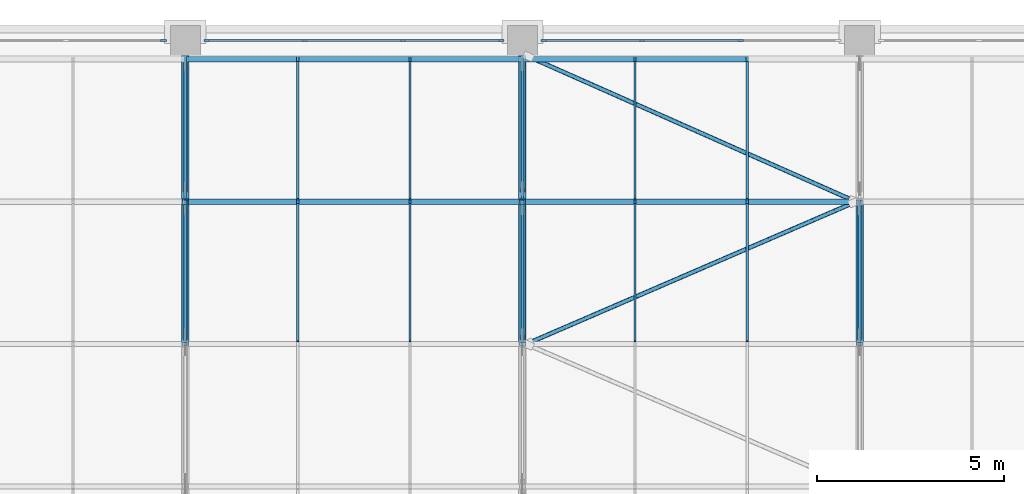
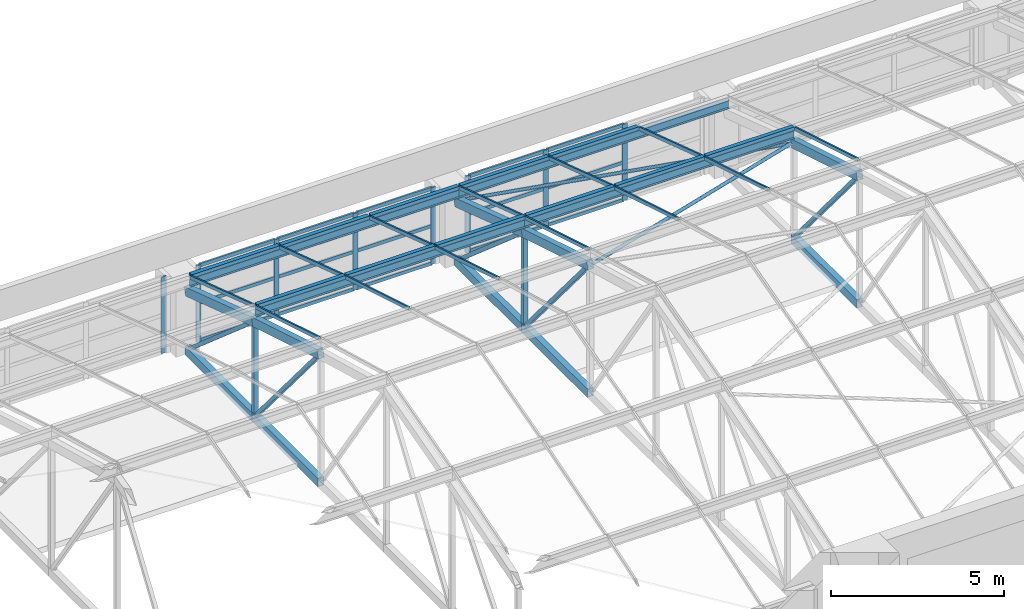
# One storey, part 19 of 82: 70 members, 4 elements without a shape of their own.
"""IFC4 building model written with IfcOpenShell, lengths in metres."""

from ifc_helpers import new_model, si_unit, direction, frame, origin, origin_2d, place, context, subcontext, project, spatial, rectangle, hollow_rectangle, hollow_circle, i_section, extrude, material, material_profile, profile_set, type_object, element, aggregate, save


model = new_model("IFC4")

# Units and contexts
model_context = context("Model", 3, precision=1e-05, world=origin(), true_north=direction((0.0, 1.0)))
body_context = subcontext(model_context, "Body", "Model", "MODEL_VIEW")
ifc_project = project(units=[si_unit("LENGTHUNIT", "METRE"), si_unit("AREAUNIT", "SQUARE_METRE"), si_unit("VOLUMEUNIT", "CUBIC_METRE"), si_unit("PLANEANGLEUNIT", "RADIAN"), si_unit("MASSUNIT", "GRAM", prefix="KILO")], contexts=[model_context])

# Site, building, storey
site_placement = place(None, origin())
site = spatial("IfcSite", under=ifc_project, at=site_placement, CompositionType="ELEMENT")
building_placement = place(site_placement, origin())
building = spatial("IfcBuilding", under=site, at=building_placement, Name="Aravalli Gate Trade Fair Centre", CompositionType="ELEMENT")
storey_placement = place(building_placement, frame((0.0, 0.0, 19.199951171875)))
storey = spatial("IfcBuildingStorey", under=building, at=storey_placement, Name="L04", CompositionType="ELEMENT", Elevation=19.199951171875)

# Members
ifc_material_1 = material(Name="Steel E350", Category="steel")
ifc_material_profile_1 = material_profile(ifc_material_1, hollow_circle(Radius=0.05712890625, WallThickness=0.00439453125, at=origin_2d()), Name="CHS 114.3x4.5")
ifc_profile_set_1 = profile_set([ifc_material_profile_1], Name="Steel E350")
member_type_1 = type_object("IfcMemberType", Name="CHS 114.3x4.5 roof plan brace", PredefinedType="BRACE", material=ifc_profile_set_1)
member_1_placement = place(storey_placement, frame((69.10009765625, 124.89990234375, 4.67333984375), z_axis=(0.911521506229, 0.393625353581, -0.119111815957), x_axis=(-0.396447725805, 0.91805729707, 0.0)))
element("IfcMember", 1, at=member_1_placement, inside=storey, type_object=member_type_1, Name="Vault plan brace 8.5", PredefinedType="BRACE", context=body_context, shape_type="SweptSolid", body=[
    extrude(hollow_circle(Radius=0.05712890625, WallThickness=0.00439453125, at=origin_2d()), origin(), (0.0, 0.0, 1.0), 9.654052734375),
])
member_2_placement = place(storey_placement, frame((69.10009765625, 132.60009765625, 2.2392578125), z_axis=(0.906215987869, -0.401642448291, 0.132120880486), x_axis=(0.40519454098, 0.914230487328, 0.0)))
element("IfcMember", 2, at=member_2_placement, inside=storey, type_object=member_type_1, Name="Vault plan brace 8.6", PredefinedType="BRACE", context=body_context, shape_type="SweptSolid", body=[
    extrude(hollow_circle(Radius=0.05712890625, WallThickness=0.00439453125, at=origin_2d()), origin(), (0.0, 0.0, 1.0), 9.71044921875),
])

# Curtain wall, member
ifc_material_2 = material(Name="Aluminium and glass", Category="aluminium")
curtain_wall_type_1 = type_object("IfcCurtainWallType", Name="Curtain wall 3000 module", PredefinedType="NOTDEFINED", material=ifc_material_2)
curtain_wall_1_placement = place(storey_placement, origin())
curtain_wall_1 = element("IfcCurtainWall", 3, at=curtain_wall_1_placement, inside=storey, type_object=curtain_wall_type_1, Name="Curtain wall north bay 6 L04", PredefinedType="NOTDEFINED")
ifc_material_3 = material(Name="Aluminium", Category="aluminium")
ifc_material_profile_2 = material_profile(ifc_material_3, rectangle(XDim=0.06005859375, YDim=0.159912109375, at=origin_2d()), Name="Concourse curtain wall mullion 60 x 160")
ifc_profile_set_2 = profile_set([ifc_material_profile_2], Name="Aluminium")
member_type_2 = type_object("IfcMemberType", Name="Concourse curtain wall mullion 60 x 160", PredefinedType="MULLION", material=ifc_profile_set_2)
member_3_placement = place(storey_placement, frame((59.419921875, 133.0, 0.0), z_axis=(0.0, 0.0, 1.0), x_axis=(0.0, 1.0, 0.0)))
member_3 = element("IfcMember", 4, at=member_3_placement, type_object=member_type_2, Name="CW1 mullion 4", PredefinedType="MULLION", context=body_context, shape_type="SweptSolid", body=[
    extrude(rectangle(XDim=0.06005859375, YDim=0.159912109375, at=origin_2d()), origin(), (0.0, 0.0, 1.0), 2.699951171875),
])
aggregate(curtain_wall_1, [member_3])

# Curtain wall, members
curtain_wall_2_placement = place(storey_placement, origin())
curtain_wall_2 = element("IfcCurtainWall", 5, at=curtain_wall_2_placement, inside=storey, type_object=curtain_wall_type_1, Name="Curtain wall north bay 7 L04", PredefinedType="NOTDEFINED")
member_4_placement = place(storey_placement, frame((60.580078125, 133.0, 0.0), z_axis=(0.0, 0.0, 1.0), x_axis=(0.0, 1.0, 0.0)))
member_4 = element("IfcMember", 6, at=member_4_placement, type_object=member_type_2, Name="CW1 mullion 1", PredefinedType="MULLION", context=body_context, shape_type="SweptSolid", body=[
    extrude(rectangle(XDim=0.06005859375, YDim=0.159912109375, at=origin_2d()), origin(), (0.0, 0.0, 1.0), 2.699951171875),
])
member_5_placement = place(storey_placement, frame((63.183349609375, 133.0, 0.0), z_axis=(0.0, 0.0, 1.0), x_axis=(0.0, 1.0, 0.0)))
member_5 = element("IfcMember", 7, at=member_5_placement, type_object=member_type_2, Name="CW1 mullion 2", PredefinedType="MULLION", context=body_context, shape_type="SweptSolid", body=[
    extrude(rectangle(XDim=0.06005859375, YDim=0.159912109375, at=origin_2d()), origin(), (0.0, 0.0, 1.0), 2.699951171875),
])
member_6_placement = place(storey_placement, frame((65.816650390625, 133.0, 0.0), z_axis=(0.0, 0.0, 1.0), x_axis=(0.0, 1.0, 0.0)))
member_6 = element("IfcMember", 8, at=member_6_placement, type_object=member_type_2, Name="CW1 mullion 3", PredefinedType="MULLION", context=body_context, shape_type="SweptSolid", body=[
    extrude(rectangle(XDim=0.06005859375, YDim=0.159912109375, at=origin_2d()), origin(), (0.0, 0.0, 1.0), 2.699951171875),
])
member_7_placement = place(storey_placement, frame((68.419921875, 133.0, 0.0), z_axis=(0.0, 0.0, 1.0), x_axis=(0.0, 1.0, 0.0)))
member_7 = element("IfcMember", 9, at=member_7_placement, type_object=member_type_2, Name="CW1 mullion 4", PredefinedType="MULLION", context=body_context, shape_type="SweptSolid", body=[
    extrude(rectangle(XDim=0.06005859375, YDim=0.159912109375, at=origin_2d()), origin(), (0.0, 0.0, 1.0), 2.699951171875),
])

curtain_wall_3_placement = place(storey_placement, origin())
curtain_wall_3 = element("IfcCurtainWall", 10, at=curtain_wall_3_placement, inside=storey, type_object=curtain_wall_type_1, Name="Curtain wall north bay 8 L04", PredefinedType="NOTDEFINED")
member_8_placement = place(storey_placement, frame((69.580078125, 133.0, 0.0), z_axis=(0.0, 0.0, 1.0), x_axis=(0.0, 1.0, 0.0)))
member_8 = element("IfcMember", 11, at=member_8_placement, type_object=member_type_2, Name="CW1 mullion 1", PredefinedType="MULLION", context=body_context, shape_type="SweptSolid", body=[
    extrude(rectangle(XDim=0.06005859375, YDim=0.159912109375, at=origin_2d()), origin(), (0.0, 0.0, 1.0), 2.699951171875),
])
member_9_placement = place(storey_placement, frame((72.183349609375, 133.0, 0.0), z_axis=(0.0, 0.0, 1.0), x_axis=(0.0, 1.0, 0.0)))
member_9 = element("IfcMember", 12, at=member_9_placement, type_object=member_type_2, Name="CW1 mullion 2", PredefinedType="MULLION", context=body_context, shape_type="SweptSolid", body=[
    extrude(rectangle(XDim=0.06005859375, YDim=0.159912109375, at=origin_2d()), origin(), (0.0, 0.0, 1.0), 2.699951171875),
])
member_10_placement = place(storey_placement, frame((74.816650390625, 133.0, 0.0), z_axis=(0.0, 0.0, 1.0), x_axis=(0.0, 1.0, 0.0)))
member_10 = element("IfcMember", 13, at=member_10_placement, type_object=member_type_2, Name="CW1 mullion 3", PredefinedType="MULLION", context=body_context, shape_type="SweptSolid", body=[
    extrude(rectangle(XDim=0.06005859375, YDim=0.159912109375, at=origin_2d()), origin(), (0.0, 0.0, 1.0), 2.699951171875),
])

# Member
ifc_material_profile_3 = material_profile(ifc_material_3, rectangle(XDim=0.06005859375, YDim=0.1201171875, at=origin_2d()), Name="Concourse curtain wall transom 60 x 120")
ifc_profile_set_3 = profile_set([ifc_material_profile_3], Name="Aluminium")
member_type_3 = type_object("IfcMemberType", Name="Concourse curtain wall transom 60 x 120", PredefinedType="USERDEFINED", material=ifc_profile_set_3)
member_11_placement = place(storey_placement, frame((60.610107421875, 133.0, 0.030029296875), z_axis=(1.0, 0.0, 0.0), x_axis=(0.0, 1.0, 0.0)))
member_11 = element("IfcMember", 14, at=member_11_placement, type_object=member_type_3, Name="CW1 transom 1.1", ObjectType="TRANSOM", PredefinedType="USERDEFINED", context=body_context, shape_type="SweptSolid", body=[
    extrude(rectangle(XDim=0.06005859375, YDim=0.1201171875, at=origin_2d()), origin(), (0.0, 0.0, 1.0), 2.543212890625),
])

member_12_placement = place(storey_placement, frame((60.610107421875, 133.0, 1.35009765625), z_axis=(1.0, 0.0, 0.0), x_axis=(0.0, 1.0, 0.0)))
member_12 = element("IfcMember", 15, at=member_12_placement, type_object=member_type_3, Name="CW1 transom 1.2", ObjectType="TRANSOM", PredefinedType="USERDEFINED", context=body_context, shape_type="SweptSolid", body=[
    extrude(rectangle(XDim=0.06005859375, YDim=0.1201171875, at=origin_2d()), origin(), (0.0, 0.0, 1.0), 2.543212890625),
])

member_13_placement = place(storey_placement, frame((60.610107421875, 133.0, 2.670166015625), z_axis=(1.0, 0.0, 0.0), x_axis=(0.0, 1.0, 0.0)))
member_13 = element("IfcMember", 16, at=member_13_placement, type_object=member_type_3, Name="CW1 transom 1.3", ObjectType="TRANSOM", PredefinedType="USERDEFINED", context=body_context, shape_type="SweptSolid", body=[
    extrude(rectangle(XDim=0.06005859375, YDim=0.1201171875, at=origin_2d()), origin(), (0.0, 0.0, 1.0), 2.543212890625),
])

member_14_placement = place(storey_placement, frame((63.21337890625, 133.0, 0.030029296875), z_axis=(1.0, 0.0, 0.0), x_axis=(0.0, 1.0, 0.0)))
member_14 = element("IfcMember", 17, at=member_14_placement, type_object=member_type_3, Name="CW1 transom 2.1", ObjectType="TRANSOM", PredefinedType="USERDEFINED", context=body_context, shape_type="SweptSolid", body=[
    extrude(rectangle(XDim=0.06005859375, YDim=0.1201171875, at=origin_2d()), origin(), (0.0, 0.0, 1.0), 2.5732421875),
])

member_15_placement = place(storey_placement, frame((63.21337890625, 133.0, 1.35009765625), z_axis=(1.0, 0.0, 0.0), x_axis=(0.0, 1.0, 0.0)))
member_15 = element("IfcMember", 18, at=member_15_placement, type_object=member_type_3, Name="CW1 transom 2.2", ObjectType="TRANSOM", PredefinedType="USERDEFINED", context=body_context, shape_type="SweptSolid", body=[
    extrude(rectangle(XDim=0.06005859375, YDim=0.1201171875, at=origin_2d()), origin(), (0.0, 0.0, 1.0), 2.5732421875),
])

member_16_placement = place(storey_placement, frame((63.21337890625, 133.0, 2.670166015625), z_axis=(1.0, 0.0, 0.0), x_axis=(0.0, 1.0, 0.0)))
member_16 = element("IfcMember", 19, at=member_16_placement, type_object=member_type_3, Name="CW1 transom 2.3", ObjectType="TRANSOM", PredefinedType="USERDEFINED", context=body_context, shape_type="SweptSolid", body=[
    extrude(rectangle(XDim=0.06005859375, YDim=0.1201171875, at=origin_2d()), origin(), (0.0, 0.0, 1.0), 2.5732421875),
])

member_17_placement = place(storey_placement, frame((65.8466796875, 133.0, 0.030029296875), z_axis=(1.0, 0.0, 0.0), x_axis=(0.0, 1.0, 0.0)))
member_17 = element("IfcMember", 20, at=member_17_placement, type_object=member_type_3, Name="CW1 transom 3.1", ObjectType="TRANSOM", PredefinedType="USERDEFINED", context=body_context, shape_type="SweptSolid", body=[
    extrude(rectangle(XDim=0.06005859375, YDim=0.1201171875, at=origin_2d()), origin(), (0.0, 0.0, 1.0), 2.543212890625),
])

member_18_placement = place(storey_placement, frame((65.8466796875, 133.0, 1.35009765625), z_axis=(1.0, 0.0, 0.0), x_axis=(0.0, 1.0, 0.0)))
member_18 = element("IfcMember", 21, at=member_18_placement, type_object=member_type_3, Name="CW1 transom 3.2", ObjectType="TRANSOM", PredefinedType="USERDEFINED", context=body_context, shape_type="SweptSolid", body=[
    extrude(rectangle(XDim=0.06005859375, YDim=0.1201171875, at=origin_2d()), origin(), (0.0, 0.0, 1.0), 2.543212890625),
])

member_19_placement = place(storey_placement, frame((65.8466796875, 133.0, 2.670166015625), z_axis=(1.0, 0.0, 0.0), x_axis=(0.0, 1.0, 0.0)))
member_19 = element("IfcMember", 22, at=member_19_placement, type_object=member_type_3, Name="CW1 transom 3.3", ObjectType="TRANSOM", PredefinedType="USERDEFINED", context=body_context, shape_type="SweptSolid", body=[
    extrude(rectangle(XDim=0.06005859375, YDim=0.1201171875, at=origin_2d()), origin(), (0.0, 0.0, 1.0), 2.543212890625),
])

aggregate(curtain_wall_2, [member_4, member_5, member_6, member_7, member_11, member_12, member_13, member_14, member_15, member_16, member_17, member_18, member_19])

member_20_placement = place(storey_placement, frame((69.610107421875, 133.0, 0.030029296875), z_axis=(1.0, 0.0, 0.0), x_axis=(0.0, 1.0, 0.0)))
member_20 = element("IfcMember", 23, at=member_20_placement, type_object=member_type_3, Name="CW1 transom 1.1", ObjectType="TRANSOM", PredefinedType="USERDEFINED", context=body_context, shape_type="SweptSolid", body=[
    extrude(rectangle(XDim=0.06005859375, YDim=0.1201171875, at=origin_2d()), origin(), (0.0, 0.0, 1.0), 2.543212890625),
])

member_21_placement = place(storey_placement, frame((69.610107421875, 133.0, 1.35009765625), z_axis=(1.0, 0.0, 0.0), x_axis=(0.0, 1.0, 0.0)))
member_21 = element("IfcMember", 24, at=member_21_placement, type_object=member_type_3, Name="CW1 transom 1.2", ObjectType="TRANSOM", PredefinedType="USERDEFINED", context=body_context, shape_type="SweptSolid", body=[
    extrude(rectangle(XDim=0.06005859375, YDim=0.1201171875, at=origin_2d()), origin(), (0.0, 0.0, 1.0), 2.543212890625),
])

member_22_placement = place(storey_placement, frame((69.610107421875, 133.0, 2.670166015625), z_axis=(1.0, 0.0, 0.0), x_axis=(0.0, 1.0, 0.0)))
member_22 = element("IfcMember", 25, at=member_22_placement, type_object=member_type_3, Name="CW1 transom 1.3", ObjectType="TRANSOM", PredefinedType="USERDEFINED", context=body_context, shape_type="SweptSolid", body=[
    extrude(rectangle(XDim=0.06005859375, YDim=0.1201171875, at=origin_2d()), origin(), (0.0, 0.0, 1.0), 2.543212890625),
])

member_23_placement = place(storey_placement, frame((72.21337890625, 133.0, 0.030029296875), z_axis=(1.0, 0.0, 0.0), x_axis=(0.0, 1.0, 0.0)))
member_23 = element("IfcMember", 26, at=member_23_placement, type_object=member_type_3, Name="CW1 transom 2.1", ObjectType="TRANSOM", PredefinedType="USERDEFINED", context=body_context, shape_type="SweptSolid", body=[
    extrude(rectangle(XDim=0.06005859375, YDim=0.1201171875, at=origin_2d()), origin(), (0.0, 0.0, 1.0), 2.5732421875),
])

member_24_placement = place(storey_placement, frame((72.21337890625, 133.0, 1.35009765625), z_axis=(1.0, 0.0, 0.0), x_axis=(0.0, 1.0, 0.0)))
member_24 = element("IfcMember", 27, at=member_24_placement, type_object=member_type_3, Name="CW1 transom 2.2", ObjectType="TRANSOM", PredefinedType="USERDEFINED", context=body_context, shape_type="SweptSolid", body=[
    extrude(rectangle(XDim=0.06005859375, YDim=0.1201171875, at=origin_2d()), origin(), (0.0, 0.0, 1.0), 2.5732421875),
])

member_25_placement = place(storey_placement, frame((72.21337890625, 133.0, 2.670166015625), z_axis=(1.0, 0.0, 0.0), x_axis=(0.0, 1.0, 0.0)))
member_25 = element("IfcMember", 28, at=member_25_placement, type_object=member_type_3, Name="CW1 transom 2.3", ObjectType="TRANSOM", PredefinedType="USERDEFINED", context=body_context, shape_type="SweptSolid", body=[
    extrude(rectangle(XDim=0.06005859375, YDim=0.1201171875, at=origin_2d()), origin(), (0.0, 0.0, 1.0), 2.5732421875),
])

aggregate(curtain_wall_3, [member_8, member_9, member_10, member_20, member_21, member_22, member_23, member_24, member_25])

# Members
ifc_material_profile_4 = material_profile(ifc_material_1, i_section(OverallWidth=0.139892578125, OverallDepth=0.300048828125, WebThickness=0.0078125, FlangeThickness=0.01318359375, at=origin_2d()), Name="ISMB 300")
ifc_profile_set_4 = profile_set([ifc_material_profile_4], Name="Steel E350")
member_type_4 = type_object("IfcMemberType", Name="ISMB 300 roof purlin", PredefinedType="PURLIN", material=ifc_profile_set_4)
for number, where, z_axis, x_axis, name in (
    (29, (60.0, 128.699951171875, 3.851318359375), (1.0, 0.0, 0.0), (0.0, 1.0, 0.0), "Vault purlin 07-08 F5"),
    (30, (60.0, 132.5, 2.60302734375), (1.0, 0.0, 0.0), (0.0, 1.0, 0.0), "Vault purlin 07-08 F6"),
    (31, (69.0, 128.699951171875, 3.851318359375), (1.0, 0.0, 0.0), (0.0, 1.0, 0.0), "Vault purlin 08-09 F5"),
    (32, (69.0, 132.5, 2.60302734375), (1.0, 0.0, 0.0), (0.0, 1.0, 0.0), "Vault purlin 08-09 F6"),
):
    element("IfcMember", number, at=place(storey_placement, frame(where, z_axis=z_axis, x_axis=x_axis)), inside=storey, type_object=member_type_4, Name=name, PredefinedType="PURLIN", context=body_context, shape_type="SweptSolid", body=[
        extrude(i_section(OverallWidth=0.139892578125, OverallDepth=0.300048828125, WebThickness=0.0078125, FlangeThickness=0.01318359375, at=origin_2d()), origin(), (0.0, 0.0, 1.0), 9.0),
    ])
ifc_material_profile_5 = material_profile(ifc_material_1, hollow_rectangle(XDim=0.199951171875, YDim=0.300048828125, WallThickness=0.011962890625, at=origin_2d()), Name="RHS 300x200x12")
ifc_profile_set_5 = profile_set([ifc_material_profile_5], Name="Steel E350")
member_type_5 = type_object("IfcMemberType", Name="RHS 300x200x12 CT1 truss chord", PredefinedType="CHORD", material=ifc_profile_set_5)
member_26_placement = place(storey_placement, frame((60.0, 124.89990234375, 4.67333984375), z_axis=(0.0, 0.957138110877, -0.289631898634), x_axis=(-1.0, 0.0, 0.0)))
element("IfcMember", 33, at=member_26_placement, inside=storey, type_object=member_type_5, Name="Concourse vault truss CT1 line 07 top chord T5", PredefinedType="CHORD", context=body_context, shape_type="SweptSolid", body=[
    extrude(hollow_rectangle(XDim=0.199951171875, YDim=0.300048828125, WallThickness=0.011962890625, at=origin_2d()), origin(), (0.0, 0.0, 1.0), 3.97021484375),
])
member_27_placement = place(storey_placement, frame((60.0, 124.89990234375, 0.150146484375), z_axis=(0.0, 1.0, 0.0), x_axis=(-1.0, 0.0, 0.0)))
element("IfcMember", 34, at=member_27_placement, inside=storey, type_object=member_type_5, Name="Concourse vault truss CT1 line 07 bottom chord B5", PredefinedType="CHORD", context=body_context, shape_type="SweptSolid", body=[
    extrude(hollow_rectangle(XDim=0.199951171875, YDim=0.300048828125, WallThickness=0.011962890625, at=origin_2d()), origin(), (0.0, 0.0, 1.0), 3.800048828125),
])
member_28_placement = place(storey_placement, frame((60.0, 128.699951171875, 3.522216796875), z_axis=(0.0, 0.949924628731, -0.312479118872), x_axis=(-1.0, 0.0, 0.0)))
element("IfcMember", 35, at=member_28_placement, inside=storey, type_object=member_type_5, Name="Concourse vault truss CT1 line 07 top chord T6", PredefinedType="CHORD", context=body_context, shape_type="SweptSolid", body=[
    extrude(hollow_rectangle(XDim=0.199951171875, YDim=0.300048828125, WallThickness=0.011962890625, at=origin_2d()), origin(), (0.0, 0.0, 1.0), 4.105712890625),
])
member_29_placement = place(storey_placement, frame((60.0, 128.699951171875, 0.150146484375), z_axis=(0.0, 1.0, 0.0), x_axis=(-1.0, 0.0, 0.0)))
element("IfcMember", 36, at=member_29_placement, inside=storey, type_object=member_type_5, Name="Concourse vault truss CT1 line 07 bottom chord B6", PredefinedType="CHORD", context=body_context, shape_type="SweptSolid", body=[
    extrude(hollow_rectangle(XDim=0.199951171875, YDim=0.300048828125, WallThickness=0.011962890625, at=origin_2d()), origin(), (0.0, 0.0, 1.0), 3.900146484375),
])
member_30_placement = place(storey_placement, frame((69.0, 124.89990234375, 4.67333984375), z_axis=(0.0, 0.957138110877, -0.289631898634), x_axis=(-1.0, 0.0, 0.0)))
element("IfcMember", 37, at=member_30_placement, inside=storey, type_object=member_type_5, Name="Concourse vault truss CT1 line 08 top chord T5", PredefinedType="CHORD", context=body_context, shape_type="SweptSolid", body=[
    extrude(hollow_rectangle(XDim=0.199951171875, YDim=0.300048828125, WallThickness=0.011962890625, at=origin_2d()), origin(), (0.0, 0.0, 1.0), 3.97021484375),
])
member_31_placement = place(storey_placement, frame((69.0, 124.89990234375, 0.150146484375), z_axis=(0.0, 1.0, 0.0), x_axis=(-1.0, 0.0, 0.0)))
element("IfcMember", 38, at=member_31_placement, inside=storey, type_object=member_type_5, Name="Concourse vault truss CT1 line 08 bottom chord B5", PredefinedType="CHORD", context=body_context, shape_type="SweptSolid", body=[
    extrude(hollow_rectangle(XDim=0.199951171875, YDim=0.300048828125, WallThickness=0.011962890625, at=origin_2d()), origin(), (0.0, 0.0, 1.0), 3.800048828125),
])
member_32_placement = place(storey_placement, frame((69.0, 128.699951171875, 3.522216796875), z_axis=(0.0, 0.949924628731, -0.312479118872), x_axis=(-1.0, 0.0, 0.0)))
element("IfcMember", 39, at=member_32_placement, inside=storey, type_object=member_type_5, Name="Concourse vault truss CT1 line 08 top chord T6", PredefinedType="CHORD", context=body_context, shape_type="SweptSolid", body=[
    extrude(hollow_rectangle(XDim=0.199951171875, YDim=0.300048828125, WallThickness=0.011962890625, at=origin_2d()), origin(), (0.0, 0.0, 1.0), 4.105712890625),
])
member_33_placement = place(storey_placement, frame((69.0, 128.699951171875, 0.150146484375), z_axis=(0.0, 1.0, 0.0), x_axis=(-1.0, 0.0, 0.0)))
element("IfcMember", 40, at=member_33_placement, inside=storey, type_object=member_type_5, Name="Concourse vault truss CT1 line 08 bottom chord B6", PredefinedType="CHORD", context=body_context, shape_type="SweptSolid", body=[
    extrude(hollow_rectangle(XDim=0.199951171875, YDim=0.300048828125, WallThickness=0.011962890625, at=origin_2d()), origin(), (0.0, 0.0, 1.0), 3.900146484375),
])
member_34_placement = place(storey_placement, frame((78.0, 124.89990234375, 4.67333984375), z_axis=(0.0, 0.957138110877, -0.289631898634), x_axis=(-1.0, 0.0, 0.0)))
element("IfcMember", 41, at=member_34_placement, inside=storey, type_object=member_type_5, Name="Concourse vault truss CT1 line 09 top chord T5", PredefinedType="CHORD", context=body_context, shape_type="SweptSolid", body=[
    extrude(hollow_rectangle(XDim=0.199951171875, YDim=0.300048828125, WallThickness=0.011962890625, at=origin_2d()), origin(), (0.0, 0.0, 1.0), 3.97021484375),
])
member_35_placement = place(storey_placement, frame((78.0, 124.89990234375, 0.150146484375), z_axis=(0.0, 1.0, 0.0), x_axis=(-1.0, 0.0, 0.0)))
element("IfcMember", 42, at=member_35_placement, inside=storey, type_object=member_type_5, Name="Concourse vault truss CT1 line 09 bottom chord B5", PredefinedType="CHORD", context=body_context, shape_type="SweptSolid", body=[
    extrude(hollow_rectangle(XDim=0.199951171875, YDim=0.300048828125, WallThickness=0.011962890625, at=origin_2d()), origin(), (0.0, 0.0, 1.0), 3.800048828125),
])
ifc_material_profile_6 = material_profile(ifc_material_1, hollow_rectangle(XDim=0.125, YDim=0.125, WallThickness=0.006103515625, at=origin_2d()), Name="SHS 125x125x6")
ifc_profile_set_6 = profile_set([ifc_material_profile_6], Name="Steel E350")
member_type_6 = type_object("IfcMemberType", Name="SHS 125x125x6 CT1 truss diagonal", PredefinedType="BRACE", material=ifc_profile_set_6)
member_36_placement = place(storey_placement, frame((60.0, 125.076416015625, 4.463134765625), z_axis=(0.0, 0.643253159982, -0.765653558845), x_axis=(-1.0, 0.0, 0.0)))
element("IfcMember", 43, at=member_36_placement, inside=storey, type_object=member_type_6, Name="Concourse vault truss CT1 line 07 diagonal D5", PredefinedType="BRACE", context=body_context, shape_type="SweptSolid", body=[
    extrude(hollow_rectangle(XDim=0.125, YDim=0.125, WallThickness=0.006103515625, at=origin_2d()), origin(), (0.0, 0.0, 1.0), 5.437255859375),
])
member_37_placement = place(storey_placement, frame((60.0, 128.994873046875, 3.267333984375), z_axis=(0.0, 0.756430814482, -0.654073713661), x_axis=(-1.0, 0.0, 0.0)))
element("IfcMember", 44, at=member_37_placement, inside=storey, type_object=member_type_6, Name="Concourse vault truss CT1 line 07 diagonal D6", PredefinedType="BRACE", context=body_context, shape_type="SweptSolid", body=[
    extrude(hollow_rectangle(XDim=0.125, YDim=0.125, WallThickness=0.006103515625, at=origin_2d()), origin(), (0.0, 0.0, 1.0), 4.53662109375),
])
member_38_placement = place(storey_placement, frame((69.0, 125.076416015625, 4.463134765625), z_axis=(0.0, 0.643253159982, -0.765653558845), x_axis=(-1.0, 0.0, 0.0)))
element("IfcMember", 45, at=member_38_placement, inside=storey, type_object=member_type_6, Name="Concourse vault truss CT1 line 08 diagonal D5", PredefinedType="BRACE", context=body_context, shape_type="SweptSolid", body=[
    extrude(hollow_rectangle(XDim=0.125, YDim=0.125, WallThickness=0.006103515625, at=origin_2d()), origin(), (0.0, 0.0, 1.0), 5.437255859375),
])
member_39_placement = place(storey_placement, frame((69.0, 128.994873046875, 3.267333984375), z_axis=(0.0, 0.756430814482, -0.654073713661), x_axis=(-1.0, 0.0, 0.0)))
element("IfcMember", 46, at=member_39_placement, inside=storey, type_object=member_type_6, Name="Concourse vault truss CT1 line 08 diagonal D6", PredefinedType="BRACE", context=body_context, shape_type="SweptSolid", body=[
    extrude(hollow_rectangle(XDim=0.125, YDim=0.125, WallThickness=0.006103515625, at=origin_2d()), origin(), (0.0, 0.0, 1.0), 4.53662109375),
])
member_40_placement = place(storey_placement, frame((78.0, 125.076416015625, 4.463134765625), z_axis=(0.0, 0.643253159982, -0.765653558845), x_axis=(-1.0, 0.0, 0.0)))
element("IfcMember", 47, at=member_40_placement, inside=storey, type_object=member_type_6, Name="Concourse vault truss CT1 line 09 diagonal D5", PredefinedType="BRACE", context=body_context, shape_type="SweptSolid", body=[
    extrude(hollow_rectangle(XDim=0.125, YDim=0.125, WallThickness=0.006103515625, at=origin_2d()), origin(), (0.0, 0.0, 1.0), 5.437255859375),
])
ifc_material_profile_7 = material_profile(ifc_material_1, hollow_rectangle(XDim=0.14990234375, YDim=0.14990234375, WallThickness=0.006103515625, at=origin_2d()), Name="SHS 150x150x6")
ifc_profile_set_7 = profile_set([ifc_material_profile_7], Name="Steel E350")
member_type_7 = type_object("IfcMemberType", Name="SHS 150x150x6 CT1 truss post", PredefinedType="POST", material=ifc_profile_set_7)
for number, where, z_axis, x_axis, name in (
    (48, (60.0, 128.699951171875, 0.300048828125), (0.0, 0.0, 1.0), (1.0, 0.0, 0.0), "Concourse vault truss CT1 line 07 post V5"),
    (49, (69.0, 128.699951171875, 0.300048828125), (0.0, 0.0, 1.0), (1.0, 0.0, 0.0), "Concourse vault truss CT1 line 08 post V5"),
):
    element("IfcMember", number, at=place(storey_placement, frame(where, z_axis=z_axis, x_axis=x_axis)), inside=storey, type_object=member_type_7, Name=name, PredefinedType="POST", context=body_context, shape_type="SweptSolid", body=[
        extrude(hollow_rectangle(XDim=0.14990234375, YDim=0.14990234375, WallThickness=0.006103515625, at=origin_2d()), origin(), (0.0, 0.0, 1.0), 3.064208984375),
    ])
ifc_material_profile_8 = material_profile(ifc_material_3, rectangle(XDim=0.139892578125, YDim=0.1201171875, at=origin_2d()), Name="Vault fold cap 140 x 120")
ifc_profile_set_8 = profile_set([ifc_material_profile_8], Name="Aluminium")
member_type_8 = type_object("IfcMemberType", Name="Vault fold cap 140 x 120", PredefinedType="USERDEFINED", material=ifc_profile_set_8)
for number, where, z_axis, x_axis, name in (
    (50, (60.030029296875, 128.699951171875, 4.061279296875), (1.0, 0.0, 0.0), (0.0, 1.0, 0.0), "Vault fold cap w16.5"),
    (51, (60.030029296875, 132.5, 2.81298828125), (1.0, 0.0, 0.0), (0.0, 1.0, 0.0), "Vault fold cap w16.6"),
    (52, (63.030029296875, 128.699951171875, 4.061279296875), (1.0, 0.0, 0.0), (0.0, 1.0, 0.0), "Vault fold cap w17.5"),
    (53, (63.030029296875, 132.5, 2.81298828125), (1.0, 0.0, 0.0), (0.0, 1.0, 0.0), "Vault fold cap w17.6"),
    (54, (66.030029296875, 128.699951171875, 4.061279296875), (1.0, 0.0, 0.0), (0.0, 1.0, 0.0), "Vault fold cap w18.5"),
    (55, (66.030029296875, 132.5, 2.81298828125), (1.0, 0.0, 0.0), (0.0, 1.0, 0.0), "Vault fold cap w18.6"),
    (56, (69.030029296875, 128.699951171875, 4.061279296875), (1.0, 0.0, 0.0), (0.0, 1.0, 0.0), "Vault fold cap w19.5"),
    (57, (69.030029296875, 132.5, 2.81298828125), (1.0, 0.0, 0.0), (0.0, 1.0, 0.0), "Vault fold cap w19.6"),
    (58, (72.030029296875, 128.699951171875, 4.061279296875), (1.0, 0.0, 0.0), (0.0, 1.0, 0.0), "Vault fold cap w20.5"),
    (59, (72.030029296875, 132.5, 2.81298828125), (1.0, 0.0, 0.0), (0.0, 1.0, 0.0), "Vault fold cap w20.6"),
    (60, (75.030029296875, 128.699951171875, 4.061279296875), (1.0, 0.0, 0.0), (0.0, 1.0, 0.0), "Vault fold cap w21.5"),
):
    element("IfcMember", number, at=place(storey_placement, frame(where, z_axis=z_axis, x_axis=x_axis)), inside=storey, type_object=member_type_8, Name=name, ObjectType="FOLD CAP", PredefinedType="USERDEFINED", context=body_context, shape_type="SweptSolid", body=[
        extrude(rectangle(XDim=0.139892578125, YDim=0.1201171875, at=origin_2d()), origin(), (0.0, 0.0, 1.0), 2.93994140625),
    ])

# Curtain wall, members
curtain_wall_type_2 = type_object("IfcCurtainWallType", Name="Vault curtain wall, sloped glazing", PredefinedType="NOTDEFINED", material=ifc_material_2)
curtain_wall_4_placement = place(storey_placement, origin())
curtain_wall_4 = element("IfcCurtainWall", 61, at=curtain_wall_4_placement, inside=storey, type_object=curtain_wall_type_2, Name="Vault curtain wall w", PredefinedType="NOTDEFINED")
ifc_material_profile_9 = material_profile(ifc_material_3, rectangle(XDim=0.06005859375, YDim=0.1201171875, at=origin_2d()), Name="Vault glazing bar 60 x 120")
ifc_profile_set_9 = profile_set([ifc_material_profile_9], Name="Aluminium")
member_type_9 = type_object("IfcMemberType", Name="Vault glazing bar 60 x 120", PredefinedType="USERDEFINED", material=ifc_profile_set_9)
member_41_placement = place(storey_placement, frame((60.0, 124.969970703125, 5.166259765625), z_axis=(0.0, 0.957125834694, -0.289672464279), x_axis=(-1.0, 0.0, 0.0)))
member_41 = element("IfcMember", 62, at=member_41_placement, type_object=member_type_9, Name="Vault glazing bar w16.5", ObjectType="GLAZING BAR", PredefinedType="USERDEFINED", context=body_context, shape_type="SweptSolid", body=[
    extrude(rectangle(XDim=0.06005859375, YDim=0.1201171875, at=origin_2d()), origin(), (0.0, 0.0, 1.0), 3.823974609375),
])
member_42_placement = place(storey_placement, frame((60.0, 128.77001953125, 4.013916015625), z_axis=(0.0, 0.949930492103, -0.31246129388), x_axis=(-1.0, 0.0, 0.0)))
member_42 = element("IfcMember", 63, at=member_42_placement, type_object=member_type_9, Name="Vault glazing bar w16.6", ObjectType="GLAZING BAR", PredefinedType="USERDEFINED", context=body_context, shape_type="SweptSolid", body=[
    extrude(rectangle(XDim=0.06005859375, YDim=0.1201171875, at=origin_2d()), origin(), (0.0, 0.0, 1.0), 3.852783203125),
])
member_43_placement = place(storey_placement, frame((63.0, 124.969970703125, 5.166259765625), z_axis=(0.0, 0.957125834694, -0.289672464279), x_axis=(-1.0, 0.0, 0.0)))
member_43 = element("IfcMember", 64, at=member_43_placement, type_object=member_type_9, Name="Vault glazing bar w17.5", ObjectType="GLAZING BAR", PredefinedType="USERDEFINED", context=body_context, shape_type="SweptSolid", body=[
    extrude(rectangle(XDim=0.06005859375, YDim=0.1201171875, at=origin_2d()), origin(), (0.0, 0.0, 1.0), 3.823974609375),
])
member_44_placement = place(storey_placement, frame((63.0, 128.77001953125, 4.013916015625), z_axis=(0.0, 0.949930492103, -0.31246129388), x_axis=(-1.0, 0.0, 0.0)))
member_44 = element("IfcMember", 65, at=member_44_placement, type_object=member_type_9, Name="Vault glazing bar w17.6", ObjectType="GLAZING BAR", PredefinedType="USERDEFINED", context=body_context, shape_type="SweptSolid", body=[
    extrude(rectangle(XDim=0.06005859375, YDim=0.1201171875, at=origin_2d()), origin(), (0.0, 0.0, 1.0), 3.852783203125),
])
member_45_placement = place(storey_placement, frame((66.0, 124.969970703125, 5.166259765625), z_axis=(0.0, 0.957125834694, -0.289672464279), x_axis=(-1.0, 0.0, 0.0)))
member_45 = element("IfcMember", 66, at=member_45_placement, type_object=member_type_9, Name="Vault glazing bar w18.5", ObjectType="GLAZING BAR", PredefinedType="USERDEFINED", context=body_context, shape_type="SweptSolid", body=[
    extrude(rectangle(XDim=0.06005859375, YDim=0.1201171875, at=origin_2d()), origin(), (0.0, 0.0, 1.0), 3.823974609375),
])
member_46_placement = place(storey_placement, frame((66.0, 128.77001953125, 4.013916015625), z_axis=(0.0, 0.949930492103, -0.31246129388), x_axis=(-1.0, 0.0, 0.0)))
member_46 = element("IfcMember", 67, at=member_46_placement, type_object=member_type_9, Name="Vault glazing bar w18.6", ObjectType="GLAZING BAR", PredefinedType="USERDEFINED", context=body_context, shape_type="SweptSolid", body=[
    extrude(rectangle(XDim=0.06005859375, YDim=0.1201171875, at=origin_2d()), origin(), (0.0, 0.0, 1.0), 3.852783203125),
])
member_47_placement = place(storey_placement, frame((69.0, 124.969970703125, 5.166259765625), z_axis=(0.0, 0.957125834694, -0.289672464279), x_axis=(-1.0, 0.0, 0.0)))
member_47 = element("IfcMember", 68, at=member_47_placement, type_object=member_type_9, Name="Vault glazing bar w19.5", ObjectType="GLAZING BAR", PredefinedType="USERDEFINED", context=body_context, shape_type="SweptSolid", body=[
    extrude(rectangle(XDim=0.06005859375, YDim=0.1201171875, at=origin_2d()), origin(), (0.0, 0.0, 1.0), 3.823974609375),
])
member_48_placement = place(storey_placement, frame((69.0, 128.77001953125, 4.013916015625), z_axis=(0.0, 0.949930492103, -0.31246129388), x_axis=(-1.0, 0.0, 0.0)))
member_48 = element("IfcMember", 69, at=member_48_placement, type_object=member_type_9, Name="Vault glazing bar w19.6", ObjectType="GLAZING BAR", PredefinedType="USERDEFINED", context=body_context, shape_type="SweptSolid", body=[
    extrude(rectangle(XDim=0.06005859375, YDim=0.1201171875, at=origin_2d()), origin(), (0.0, 0.0, 1.0), 3.852783203125),
])
member_49_placement = place(storey_placement, frame((72.0, 124.969970703125, 5.166259765625), z_axis=(0.0, 0.957125834694, -0.289672464279), x_axis=(-1.0, 0.0, 0.0)))
member_49 = element("IfcMember", 70, at=member_49_placement, type_object=member_type_9, Name="Vault glazing bar w20.5", ObjectType="GLAZING BAR", PredefinedType="USERDEFINED", context=body_context, shape_type="SweptSolid", body=[
    extrude(rectangle(XDim=0.06005859375, YDim=0.1201171875, at=origin_2d()), origin(), (0.0, 0.0, 1.0), 3.823974609375),
])
member_50_placement = place(storey_placement, frame((72.0, 128.77001953125, 4.013916015625), z_axis=(0.0, 0.949930492103, -0.31246129388), x_axis=(-1.0, 0.0, 0.0)))
member_50 = element("IfcMember", 71, at=member_50_placement, type_object=member_type_9, Name="Vault glazing bar w20.6", ObjectType="GLAZING BAR", PredefinedType="USERDEFINED", context=body_context, shape_type="SweptSolid", body=[
    extrude(rectangle(XDim=0.06005859375, YDim=0.1201171875, at=origin_2d()), origin(), (0.0, 0.0, 1.0), 3.852783203125),
])
member_51_placement = place(storey_placement, frame((75.0, 124.969970703125, 5.166259765625), z_axis=(0.0, 0.957125834694, -0.289672464279), x_axis=(-1.0, 0.0, 0.0)))
member_51 = element("IfcMember", 72, at=member_51_placement, type_object=member_type_9, Name="Vault glazing bar w21.5", ObjectType="GLAZING BAR", PredefinedType="USERDEFINED", context=body_context, shape_type="SweptSolid", body=[
    extrude(rectangle(XDim=0.06005859375, YDim=0.1201171875, at=origin_2d()), origin(), (0.0, 0.0, 1.0), 3.823974609375),
])
member_52_placement = place(storey_placement, frame((75.0, 128.77001953125, 4.013916015625), z_axis=(0.0, 0.949930492103, -0.31246129388), x_axis=(-1.0, 0.0, 0.0)))
member_52 = element("IfcMember", 73, at=member_52_placement, type_object=member_type_9, Name="Vault glazing bar w21.6", ObjectType="GLAZING BAR", PredefinedType="USERDEFINED", context=body_context, shape_type="SweptSolid", body=[
    extrude(rectangle(XDim=0.06005859375, YDim=0.1201171875, at=origin_2d()), origin(), (0.0, 0.0, 1.0), 3.852783203125),
])
member_53_placement = place(storey_placement, frame((78.0, 124.969970703125, 5.166259765625), z_axis=(0.0, 0.957125834694, -0.289672464279), x_axis=(-1.0, 0.0, 0.0)))
member_53 = element("IfcMember", 74, at=member_53_placement, type_object=member_type_9, Name="Vault glazing bar w22.5", ObjectType="GLAZING BAR", PredefinedType="USERDEFINED", context=body_context, shape_type="SweptSolid", body=[
    extrude(rectangle(XDim=0.06005859375, YDim=0.1201171875, at=origin_2d()), origin(), (0.0, 0.0, 1.0), 3.823974609375),
])
aggregate(curtain_wall_4, [member_41, member_42, member_43, member_44, member_45, member_46, member_47, member_48, member_49, member_50, member_51, member_52, member_53])

save(model, "model.ifc")
